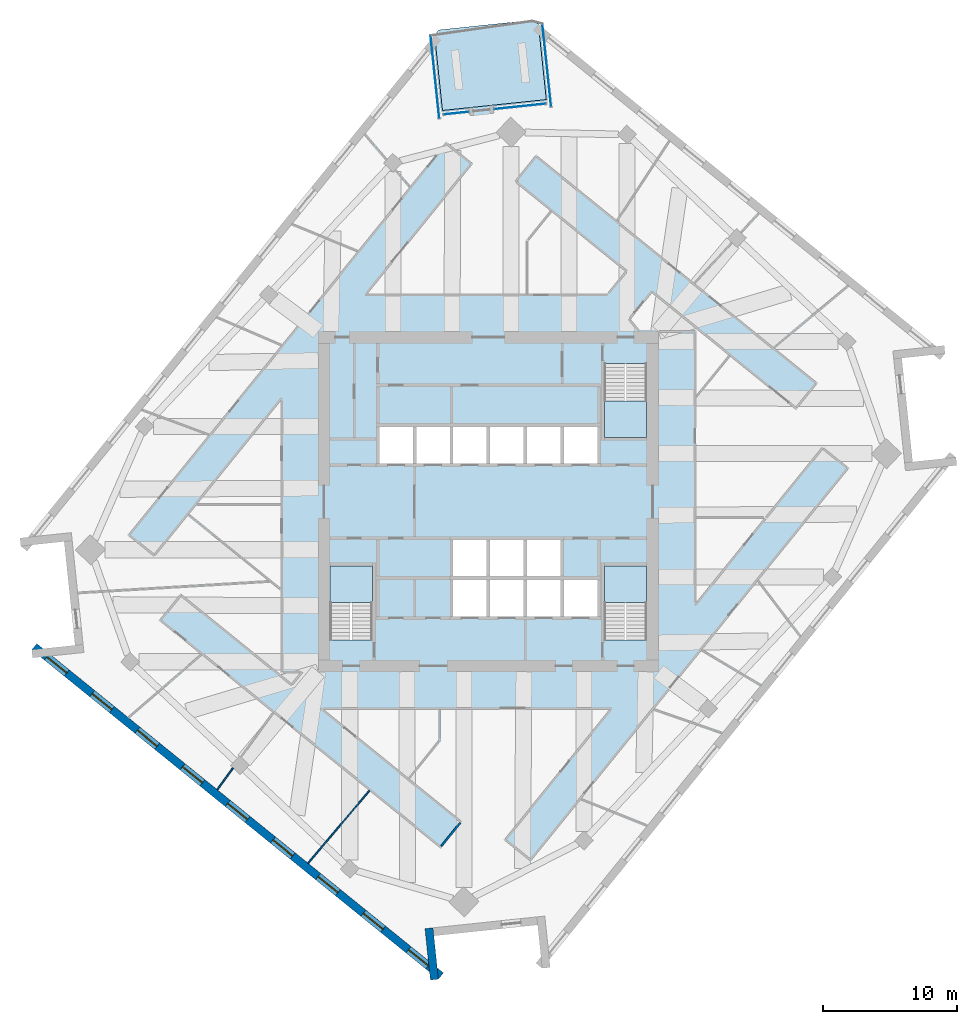
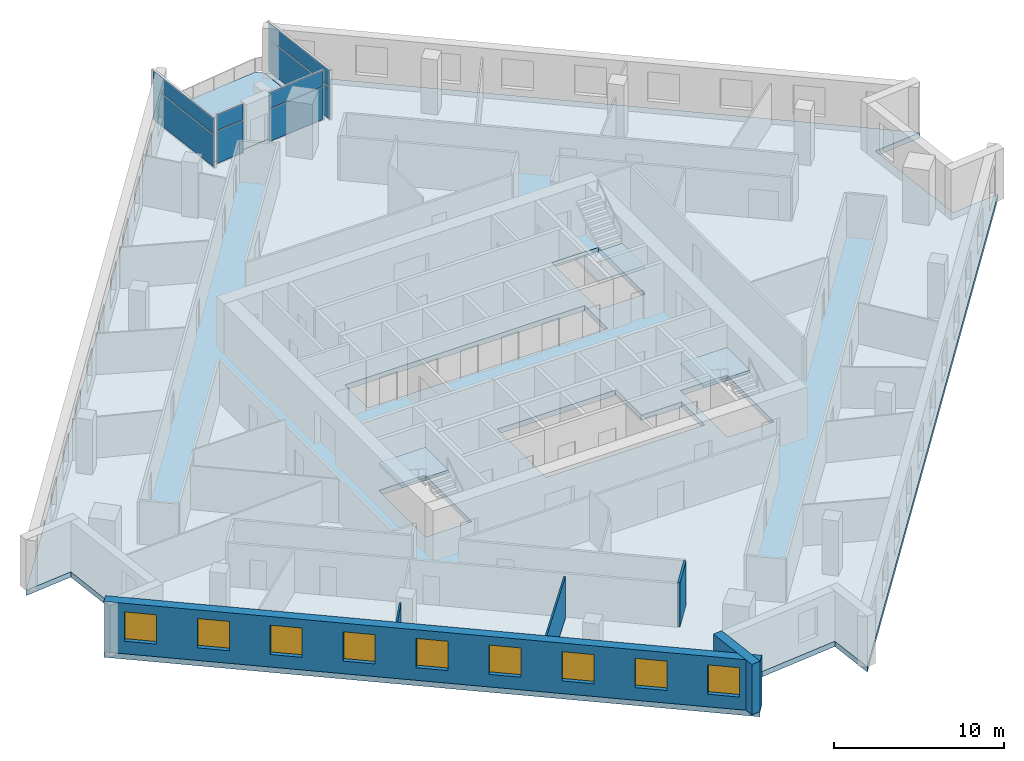
# One storey, part 6 of 14: 9 windows, 8 plates, 5 slabs, 5 walls, 9 openings, 7 elements without a shape of their own.
"""IFC4 building model written with IfcOpenShell, lengths in metres."""

from ifc_helpers import new_model, si_unit, direction, frame, frame_2d, origin, origin_2d, place, context, subcontext, project, spatial, polyline, rectangle, outline, extrude, material, layer, layer_set, type_object, element, fill, aggregate, save


model = new_model("IFC4")

# Units and contexts
model_context = context("Model", 3, precision=1e-05, world=origin(), true_north=direction((0.0, 1.0)))
body_context = subcontext(model_context, "Body", "Model", "MODEL_VIEW")
ifc_project = project(units=[si_unit("LENGTHUNIT", "METRE"), si_unit("AREAUNIT", "SQUARE_METRE"), si_unit("VOLUMEUNIT", "CUBIC_METRE"), si_unit("PLANEANGLEUNIT", "RADIAN"), si_unit("MASSUNIT", "GRAM", prefix="KILO")], contexts=[model_context])

# Site, building, storey
site_placement = place(None, origin())
site = spatial("IfcSite", under=ifc_project, at=site_placement, CompositionType="ELEMENT")
building_placement = place(site_placement, origin())
building = spatial("IfcBuilding", under=site, at=building_placement, Name="Dilmun Exchange Tower", CompositionType="ELEMENT")
storey_placement = place(building_placement, frame((0.0, 0.0, 229.300048828125)))
storey = spatial("IfcBuildingStorey", under=building, at=storey_placement, Name="L54", CompositionType="ELEMENT", Elevation=229.300048828125)

# Stair, slab
ifc_material_1 = material(Name="Concrete C40/50", Category="concrete")
stair_type = type_object("IfcStairType", Name="Exit stair 1500 half-turn", PredefinedType="HALF_TURN_STAIR", material=ifc_material_1)
stair_1_placement = place(storey_placement, origin())
stair_1 = element("IfcStair", 1, at=stair_1_placement, inside=storey, type_object=stair_type, Name="L54 Protected exit stair ST1", PredefinedType="HALF_TURN_STAIR")
ifc_layer_1 = layer(ifc_material_1, 0.199951171875)
ifc_layer_set_1 = layer_set([ifc_layer_1], Name="Concrete C40/50")
slab_type_1 = type_object("IfcSlabType", Name="Exit stair landing 200", PredefinedType="LANDING", material=ifc_layer_set_1)
slab_1_placement = place(storey_placement, frame((0.0, 0.0, 1.800048828125)))
slab_1 = element("IfcSlab", 2, at=slab_1_placement, type_object=slab_type_1, Name="ST1 landing 1", PredefinedType="LANDING", context=body_context, shape_type="SweptSolid", body=[
    extrude(outline(polyline([(8.64990234375, 7.5), (8.64990234375, 4.800048828125), (11.800048828125, 4.800048828125), (11.800048828125, 7.5), (8.64990234375, 7.5)])), origin(), (0.0, 0.0, 1.0), 0.199951171875),
])
aggregate(stair_1, [slab_1])

stair_2_placement = place(storey_placement, origin())
stair_2 = element("IfcStair", 3, at=stair_2_placement, inside=storey, type_object=stair_type, Name="L54 Protected exit stair ST2", PredefinedType="HALF_TURN_STAIR")
slab_2_placement = place(storey_placement, frame((0.0, 0.0, 1.800048828125)))
slab_2 = element("IfcSlab", 4, at=slab_2_placement, type_object=slab_type_1, Name="ST2 landing 1", PredefinedType="LANDING", context=body_context, shape_type="SweptSolid", body=[
    extrude(outline(polyline([(-8.64990234375, -7.5), (-8.64990234375, -4.800048828125), (-11.800048828125, -4.800048828125), (-11.800048828125, -7.5), (-8.64990234375, -7.5)])), origin(), (0.0, 0.0, 1.0), 0.199951171875),
])
aggregate(stair_2, [slab_2])

stair_3_placement = place(storey_placement, origin())
stair_3 = element("IfcStair", 5, at=stair_3_placement, inside=storey, type_object=stair_type, Name="L54 Protected exit stair ST3", PredefinedType="HALF_TURN_STAIR")
slab_3_placement = place(storey_placement, frame((0.0, 0.0, 1.800048828125)))
slab_3 = element("IfcSlab", 6, at=slab_3_placement, type_object=slab_type_1, Name="ST3 landing 1", PredefinedType="LANDING", context=body_context, shape_type="SweptSolid", body=[
    extrude(outline(polyline([(11.800048828125, -7.5), (11.800048828125, -4.800048828125), (8.64990234375, -4.800048828125), (8.64990234375, -7.5), (11.800048828125, -7.5)])), origin(), (0.0, 0.0, 1.0), 0.199951171875),
])
aggregate(stair_3, [slab_3])

# Curtain wall, plates
ifc_material_2 = material(Name="Anodised aluminium and clear glass", Category="aluminium")
curtain_wall_type = type_object("IfcCurtainWallType", Name="Garden corner glazing", PredefinedType="NOTDEFINED", material=ifc_material_2)
curtain_wall_1_placement = place(storey_placement, origin())
curtain_wall_1 = element("IfcCurtainWall", 7, at=curtain_wall_1_placement, inside=storey, type_object=curtain_wall_type, Name="Garden corner glazing run GC1.1", PredefinedType="NOTDEFINED")
ifc_material_3 = material(Name="Clear glass", Category="glass")
ifc_layer_2 = layer(ifc_material_3, 0.028076171875)
ifc_layer_set_2 = layer_set([ifc_layer_2], Name="Clear glass")
plate_type = type_object("IfcPlateType", Name="Garden corner glazing glass panel 28", PredefinedType="CURTAIN_PANEL", material=ifc_layer_set_2)
plate_1_placement = place(storey_placement, frame((4.35009765625, 32.511474609375, 0.059814453125), z_axis=(0.0, 0.0, 1.0), x_axis=(0.104539779931, -0.994520705874, 0.0)))
plate_1 = element("IfcPlate", 8, at=plate_1_placement, type_object=plate_type, Name="GC1.1 panel 1.1", PredefinedType="CURTAIN_PANEL", context=body_context, shape_type="SweptSolid", body=[
    extrude(rectangle(XDim=6.12646484375, YDim=0.028076171875, at=origin_2d()), origin(), (0.0, 0.0, 1.0), 2.31005859375),
])
plate_2_placement = place(storey_placement, frame((4.35009765625, 32.511474609375, 2.429931640625), z_axis=(0.0, 0.0, 1.0), x_axis=(0.104539779931, -0.994520705874, 0.0)))
plate_2 = element("IfcPlate", 9, at=plate_2_placement, type_object=plate_type, Name="GC1.1 panel 1.2", PredefinedType="CURTAIN_PANEL", context=body_context, shape_type="SweptSolid", body=[
    extrude(rectangle(XDim=6.12646484375, YDim=0.028076171875, at=origin_2d()), origin(), (0.0, 0.0, 1.0), 1.1298828125),
])
aggregate(curtain_wall_1, [plate_1, plate_2])

curtain_wall_2_placement = place(storey_placement, origin())
curtain_wall_2 = element("IfcCurtainWall", 10, at=curtain_wall_2_placement, inside=storey, type_object=curtain_wall_type, Name="Garden corner glazing run GC2.1", PredefinedType="NOTDEFINED")
plate_3_placement = place(storey_placement, frame((2.36328125, 29.4638671875, 0.059814453125), z_axis=(0.0, 0.0, 1.0), x_axis=(-0.994521101078, -0.104536020157, 0.0)))
plate_3 = element("IfcPlate", 11, at=plate_3_placement, type_object=plate_type, Name="GC2.1 panel 1.1", PredefinedType="CURTAIN_PANEL", context=body_context, shape_type="SweptSolid", body=[
    extrude(rectangle(XDim=3.869140625, YDim=0.028076171875, at=origin_2d()), origin(), (0.0, 0.0, 1.0), 2.31005859375),
])
plate_4_placement = place(storey_placement, frame((2.36328125, 29.4638671875, 2.429931640625), z_axis=(0.0, 0.0, 1.0), x_axis=(-0.994521101078, -0.104536020157, 0.0)))
plate_4 = element("IfcPlate", 12, at=plate_4_placement, type_object=plate_type, Name="GC2.1 panel 1.2", PredefinedType="CURTAIN_PANEL", context=body_context, shape_type="SweptSolid", body=[
    extrude(rectangle(XDim=3.869140625, YDim=0.028076171875, at=origin_2d()), origin(), (0.0, 0.0, 1.0), 1.1298828125),
])
aggregate(curtain_wall_2, [plate_3, plate_4])

curtain_wall_3_placement = place(storey_placement, origin())
curtain_wall_3 = element("IfcCurtainWall", 13, at=curtain_wall_3_placement, inside=storey, type_object=curtain_wall_type, Name="Garden corner glazing run GC2.3", PredefinedType="NOTDEFINED")
plate_5_placement = place(storey_placement, frame((-2.399658203125, 28.963134765625, 0.059814453125), z_axis=(0.0, 0.0, 1.0), x_axis=(-0.99452279416, -0.104519911481, 0.0)))
plate_5 = element("IfcPlate", 14, at=plate_5_placement, type_object=plate_type, Name="GC2.3 panel 1.1", PredefinedType="CURTAIN_PANEL", context=body_context, shape_type="SweptSolid", body=[
    extrude(rectangle(XDim=1.869140625, YDim=0.028076171875, at=origin_2d()), origin(), (0.0, 0.0, 1.0), 2.31005859375),
])
plate_6_placement = place(storey_placement, frame((-2.399658203125, 28.963134765625, 2.429931640625), z_axis=(0.0, 0.0, 1.0), x_axis=(-0.99452279416, -0.104519911481, 0.0)))
plate_6 = element("IfcPlate", 15, at=plate_6_placement, type_object=plate_type, Name="GC2.3 panel 1.2", PredefinedType="CURTAIN_PANEL", context=body_context, shape_type="SweptSolid", body=[
    extrude(rectangle(XDim=1.869140625, YDim=0.028076171875, at=origin_2d()), origin(), (0.0, 0.0, 1.0), 1.1298828125),
])
aggregate(curtain_wall_3, [plate_5, plate_6])

curtain_wall_4_placement = place(storey_placement, origin())
curtain_wall_4 = element("IfcCurtainWall", 16, at=curtain_wall_4_placement, inside=storey, type_object=curtain_wall_type, Name="Garden corner glazing run GC3.1", PredefinedType="NOTDEFINED")
plate_7_placement = place(storey_placement, frame((-3.982177734375, 31.635498046875, 0.059814453125), z_axis=(0.0, 0.0, 1.0), x_axis=(-0.104539779931, 0.994520705874, 0.0)))
plate_7 = element("IfcPlate", 17, at=plate_7_placement, type_object=plate_type, Name="GC3.1 panel 1.1", PredefinedType="CURTAIN_PANEL", context=body_context, shape_type="SweptSolid", body=[
    extrude(rectangle(XDim=6.12646484375, YDim=0.028076171875, at=origin_2d()), origin(), (0.0, 0.0, 1.0), 2.31005859375),
])
plate_8_placement = place(storey_placement, frame((-3.982177734375, 31.635498046875, 2.429931640625), z_axis=(0.0, 0.0, 1.0), x_axis=(-0.104539779931, 0.994520705874, 0.0)))
plate_8 = element("IfcPlate", 18, at=plate_8_placement, type_object=plate_type, Name="GC3.1 panel 1.2", PredefinedType="CURTAIN_PANEL", context=body_context, shape_type="SweptSolid", body=[
    extrude(rectangle(XDim=6.12646484375, YDim=0.028076171875, at=origin_2d()), origin(), (0.0, 0.0, 1.0), 1.1298828125),
])
aggregate(curtain_wall_4, [plate_7, plate_8])

# Slabs
ifc_layer_3 = layer(ifc_material_1, 0.3798828125)
ifc_layer_set_3 = layer_set([ifc_layer_3], Name="Concrete C40/50")
slab_type_2 = type_object("IfcSlabType", Name="RC floor slab 380", PredefinedType="FLOOR", material=ifc_layer_set_3)
slab_4_placement = place(storey_placement, frame((0.0, 0.0, -0.380126953125)))
element("IfcSlab", 19, at=slab_4_placement, inside=storey, type_object=slab_type_2, Name="Floor slab", PredefinedType="FLOOR", context=body_context, shape_type="SweptSolid", body=[
    extrude(outline(polyline([(30.805419921875, 10.703369140625), (31.618408203125, 2.9677734375), (34.846923828125, 3.30712890625), (4.01025390625, -34.773193359375), (3.6708984375, -31.54443359375), (-4.064697265625, -32.357421875), (-3.725341796875, -35.586181640625), (-34.033935546875, -11.04248046875), (-30.805419921875, -10.703369140625), (-31.618408203125, -2.9677734375), (-34.846923828125, -3.30712890625), (-4.01025390625, 34.773193359375), (-3.420166015625, 29.15771484375), (4.3154296875, 29.970703125), (3.725341796875, 35.586181640625), (34.033935546875, 11.04248046875), (30.805419921875, 10.703369140625)]), holes=[polyline([(-8.64990234375, -4.800048828125), (-11.800048828125, -4.800048828125), (-11.800048828125, -10.294921875), (-8.64990234375, -10.294921875), (-8.64990234375, -4.800048828125)]), polyline([(11.800048828125, -4.800048828125), (8.64990234375, -4.800048828125), (8.64990234375, -10.294921875), (11.800048828125, -10.294921875), (11.800048828125, -4.800048828125)]), polyline([(5.375, -2.85009765625), (-2.625, -2.85009765625), (-2.625, -8.550048828125), (8.125, -8.550048828125), (8.125, -5.85009765625), (5.375, -5.85009765625), (5.375, -2.85009765625)]), polyline([(8.125, 2.85009765625), (8.125, 5.550048828125), (-8.125, 5.550048828125), (-8.125, 2.85009765625), (8.125, 2.85009765625)]), polyline([(8.64990234375, 10.294921875), (8.64990234375, 4.800048828125), (11.800048828125, 4.800048828125), (11.800048828125, 10.294921875), (8.64990234375, 10.294921875)])]), origin(), (0.0, 0.0, 1.0), 0.380126953125),
])
ifc_layer_4 = layer(ifc_material_1, 0.300048828125)
ifc_layer_set_4 = layer_set([ifc_layer_4], Name="Concrete C40/50")
slab_type_3 = type_object("IfcSlabType", Name="RC garden terrace slab 300", PredefinedType="FLOOR", material=ifc_layer_set_4)
slab_5_placement = place(storey_placement, frame((0.0, 0.0, -0.300048828125)))
element("IfcSlab", 20, at=slab_5_placement, inside=storey, type_object=slab_type_3, Name="Garden terrace slab", PredefinedType="FLOOR", context=body_context, shape_type="SweptSolid", body=[
    extrude(outline(polyline([(-3.420166015625, 29.15771484375), (-4.01025390625, 34.773193359375), (-3.695556640625, 35.16162109375), (3.336669921875, 35.90087890625), (3.725341796875, 35.586181640625), (4.3154296875, 29.970703125), (-3.420166015625, 29.15771484375)])), origin(), (0.0, 0.0, 1.0), 0.300048828125),
])

# Walls
ifc_material_4 = material(Name="Corridor wall 150")
ifc_layer_5 = layer(ifc_material_4, 0.14990234375)
ifc_layer_set_5 = layer_set([ifc_layer_5], Name="Corridor wall 150")
wall_type_1 = type_object("IfcWallType", Name="Corridor wall 150", PredefinedType="PARTITIONING", material=ifc_layer_set_5)
wall_1_placement = place(storey_placement, frame((-3.5107421875, -25.6767578125, 0.0), z_axis=(0.0, 0.0, 1.0), x_axis=(0.629260625875, 0.777194354536, 0.0)))
element("IfcWall", 21, at=wall_1_placement, inside=storey, type_object=wall_type_1, Name="Corridor wall", PredefinedType="PARTITIONING", context=body_context, shape_type="SweptSolid", body=[
    extrude(rectangle(XDim=2.2509765625, YDim=0.14990234375, at=frame_2d((1.12548828125, 0.0))), origin(), (0.0, 0.0, 1.0), 3.169921875),
])
ifc_material_5 = material(Name="Partition 100")
ifc_layer_6 = layer(ifc_material_5, 0.10009765625)
ifc_layer_set_6 = layer_set([ifc_layer_6], Name="Partition 100")
wall_type_2 = type_object("IfcWallType", Name="Partition 100", PredefinedType="PARTITIONING", material=ifc_layer_set_6)
wall_2_placement = place(storey_placement, frame((-20.20849609375, -21.463623046875, 0.0), z_axis=(0.0, 0.0, 1.0), x_axis=(0.588273501318, 0.808662035492, 0.0)))
element("IfcWall", 22, at=wall_2_placement, inside=storey, type_object=wall_type_2, Name="Partition", PredefinedType="PARTITIONING", context=body_context, shape_type="SweptSolid", body=[
    extrude(rectangle(XDim=1.99609375, YDim=0.10009765625, at=frame_2d((0.998046875, 0.0))), origin(), (0.0, 0.0, 1.0), 3.619873046875),
])
wall_3_placement = place(storey_placement, frame((-13.439208984375, -26.9453125, 0.0), z_axis=(0.0, 0.0, 1.0), x_axis=(0.645645597662, 0.763637192795, 0.0)))
element("IfcWall", 23, at=wall_3_placement, inside=storey, type_object=wall_type_2, Name="Partition", PredefinedType="PARTITIONING", context=body_context, shape_type="SweptSolid", body=[
    extrude(rectangle(XDim=7.084716796875, YDim=0.10009765625, at=frame_2d((3.54248046875, 0.0))), origin(), (0.0, 0.0, 1.0), 2.969970703125),
])

# Wall, openings, windows
ifc_material_6 = material(Name="Precast concrete C50/60", Category="concrete")
ifc_layer_7 = layer(ifc_material_6, 0.60009765625)
ifc_layer_set_7 = layer_set([ifc_layer_7], Name="Precast concrete C50/60")
wall_type_3 = type_object("IfcWallType", Name="Precast stone-clad wall 600", PredefinedType="STANDARD", material=ifc_layer_set_7)
wall_4_placement = place(storey_placement, frame((-33.84521484375, -10.8095703125, 0.0), z_axis=(0.0, 0.0, 1.0), x_axis=(0.777145437972, -0.629321037499, 0.0)))
wall_4 = element("IfcWall", 24, at=wall_4_placement, inside=storey, type_object=wall_type_3, Name="Facade wall L54-07", PredefinedType="STANDARD", context=body_context, shape_type="SweptSolid", body=[
    extrude(rectangle(XDim=39.0, YDim=0.60009765625, at=frame_2d((19.5, 0.0))), origin(), (0.0, 0.0, 1.0), 3.619873046875),
])
opening_1_placement = place(wall_4_placement, frame((1.216796875, 0.0, 0.89990234375)))
opening_1 = element("IfcOpeningElement", 25, at=opening_1_placement, cuts=wall_4, Name="Opening W190-210", PredefinedType="OPENING", context=body_context, shape_type="SweptSolid", body=[
    extrude(rectangle(XDim=1.89990234375, YDim=2.10009765625, at=frame_2d((0.949951171875, 1.050048828125))), frame((0.0, 0.31005859375, 0.0), z_axis=(0.0, -1.0, 0.0), x_axis=(1.0, 0.0, 0.0)), (0.0, 0.0, 1.0), 0.6201171875),
])
opening_2_placement = place(wall_4_placement, frame((5.550048828125, 0.0, 0.89990234375)))
opening_2 = element("IfcOpeningElement", 26, at=opening_2_placement, cuts=wall_4, Name="Opening W190-210", PredefinedType="OPENING", context=body_context, shape_type="SweptSolid", body=[
    extrude(rectangle(XDim=1.89990234375, YDim=2.10009765625, at=frame_2d((0.949951171875, 1.050048828125))), frame((0.0, 0.31005859375, 0.0), z_axis=(0.0, -1.0, 0.0), x_axis=(1.0, 0.0, 0.0)), (0.0, 0.0, 1.0), 0.6201171875),
])
opening_3_placement = place(wall_4_placement, frame((9.88330078125, 0.0, 0.89990234375)))
opening_3 = element("IfcOpeningElement", 27, at=opening_3_placement, cuts=wall_4, Name="Opening W190-210", PredefinedType="OPENING", context=body_context, shape_type="SweptSolid", body=[
    extrude(rectangle(XDim=1.89990234375, YDim=2.10009765625, at=frame_2d((0.949951171875, 1.050048828125))), frame((0.0, 0.31005859375, 0.0), z_axis=(0.0, -1.0, 0.0), x_axis=(1.0, 0.0, 0.0)), (0.0, 0.0, 1.0), 0.6201171875),
])
opening_4_placement = place(wall_4_placement, frame((14.216796875, 0.0, 0.89990234375)))
opening_4 = element("IfcOpeningElement", 28, at=opening_4_placement, cuts=wall_4, Name="Opening W190-210", PredefinedType="OPENING", context=body_context, shape_type="SweptSolid", body=[
    extrude(rectangle(XDim=1.89990234375, YDim=2.10009765625, at=frame_2d((0.949951171875, 1.050048828125))), frame((0.0, 0.31005859375, 0.0), z_axis=(0.0, -1.0, 0.0), x_axis=(1.0, 0.0, 0.0)), (0.0, 0.0, 1.0), 0.6201171875),
])
opening_5_placement = place(wall_4_placement, frame((18.550048828125, 0.0, 0.89990234375)))
opening_5 = element("IfcOpeningElement", 29, at=opening_5_placement, cuts=wall_4, Name="Opening W190-210", PredefinedType="OPENING", context=body_context, shape_type="SweptSolid", body=[
    extrude(rectangle(XDim=1.89990234375, YDim=2.10009765625, at=frame_2d((0.949951171875, 1.050048828125))), frame((0.0, 0.31005859375, 0.0), z_axis=(0.0, -1.0, 0.0), x_axis=(1.0, 0.0, 0.0)), (0.0, 0.0, 1.0), 0.6201171875),
])
opening_6_placement = place(wall_4_placement, frame((22.88330078125, 0.0, 0.89990234375)))
opening_6 = element("IfcOpeningElement", 30, at=opening_6_placement, cuts=wall_4, Name="Opening W190-210", PredefinedType="OPENING", context=body_context, shape_type="SweptSolid", body=[
    extrude(rectangle(XDim=1.89990234375, YDim=2.10009765625, at=frame_2d((0.949951171875, 1.050048828125))), frame((0.0, 0.31005859375, 0.0), z_axis=(0.0, -1.0, 0.0), x_axis=(1.0, 0.0, 0.0)), (0.0, 0.0, 1.0), 0.6201171875),
])
opening_7_placement = place(wall_4_placement, frame((27.216796875, 0.0, 0.89990234375)))
opening_7 = element("IfcOpeningElement", 31, at=opening_7_placement, cuts=wall_4, Name="Opening W190-210", PredefinedType="OPENING", context=body_context, shape_type="SweptSolid", body=[
    extrude(rectangle(XDim=1.89990234375, YDim=2.10009765625, at=frame_2d((0.949951171875, 1.050048828125))), frame((0.0, 0.31005859375, 0.0), z_axis=(0.0, -1.0, 0.0), x_axis=(1.0, 0.0, 0.0)), (0.0, 0.0, 1.0), 0.6201171875),
])
opening_8_placement = place(wall_4_placement, frame((31.550048828125, 0.0, 0.89990234375)))
opening_8 = element("IfcOpeningElement", 32, at=opening_8_placement, cuts=wall_4, Name="Opening W190-210", PredefinedType="OPENING", context=body_context, shape_type="SweptSolid", body=[
    extrude(rectangle(XDim=1.89990234375, YDim=2.10009765625, at=frame_2d((0.949951171875, 1.050048828125))), frame((0.0, 0.31005859375, 0.0), z_axis=(0.0, -1.0, 0.0), x_axis=(1.0, 0.0, 0.0)), (0.0, 0.0, 1.0), 0.6201171875),
])
opening_9_placement = place(wall_4_placement, frame((35.88330078125, 0.0, 0.89990234375)))
opening_9 = element("IfcOpeningElement", 33, at=opening_9_placement, cuts=wall_4, Name="Opening W190-210", PredefinedType="OPENING", context=body_context, shape_type="SweptSolid", body=[
    extrude(rectangle(XDim=1.89990234375, YDim=2.10009765625, at=frame_2d((0.949951171875, 1.050048828125))), frame((0.0, 0.31005859375, 0.0), z_axis=(0.0, -1.0, 0.0), x_axis=(1.0, 0.0, 0.0)), (0.0, 0.0, 1.0), 0.6201171875),
])
ifc_material_7 = material(Name="Clear low-emissivity glass in aluminium frame", Category="aluminium")
window_type = type_object("IfcWindowType", Name="Punched window 1900 x 2100", PartitioningType="DOUBLE_PANEL_VERTICAL", PredefinedType="WINDOW", material=ifc_material_7)
window_1_placement = place(opening_1_placement, origin())
window_1 = element("IfcWindow", 34, at=window_1_placement, inside=storey, type_object=window_type, Name="Window 8.1", OverallHeight=2.10009765625, OverallWidth=1.89990234375, PartitioningType="SINGLE_PANEL", PredefinedType="WINDOW", context=body_context, shape_type="SweptSolid", body=[
    extrude(rectangle(XDim=1.89990234375, YDim=2.10009765625, at=frame_2d((0.949951171875, 1.050048828125))), frame((0.0, 0.030029296875, 0.0), z_axis=(0.0, -1.0, 0.0), x_axis=(1.0, 0.0, 0.0)), (0.0, 0.0, 1.0), 0.06005859375),
])
fill(opening_1, window_1)
window_2_placement = place(opening_2_placement, origin())
window_2 = element("IfcWindow", 35, at=window_2_placement, inside=storey, type_object=window_type, Name="Window 8.2", OverallHeight=2.10009765625, OverallWidth=1.89990234375, PartitioningType="SINGLE_PANEL", PredefinedType="WINDOW", context=body_context, shape_type="SweptSolid", body=[
    extrude(rectangle(XDim=1.89990234375, YDim=2.10009765625, at=frame_2d((0.949951171875, 1.050048828125))), frame((0.0, 0.030029296875, 0.0), z_axis=(0.0, -1.0, 0.0), x_axis=(1.0, 0.0, 0.0)), (0.0, 0.0, 1.0), 0.06005859375),
])
fill(opening_2, window_2)
window_3_placement = place(opening_3_placement, origin())
window_3 = element("IfcWindow", 36, at=window_3_placement, inside=storey, type_object=window_type, Name="Window 8.3", OverallHeight=2.10009765625, OverallWidth=1.89990234375, PartitioningType="SINGLE_PANEL", PredefinedType="WINDOW", context=body_context, shape_type="SweptSolid", body=[
    extrude(rectangle(XDim=1.89990234375, YDim=2.10009765625, at=frame_2d((0.949951171875, 1.050048828125))), frame((0.0, 0.030029296875, 0.0), z_axis=(0.0, -1.0, 0.0), x_axis=(1.0, 0.0, 0.0)), (0.0, 0.0, 1.0), 0.06005859375),
])
fill(opening_3, window_3)
window_4_placement = place(opening_4_placement, origin())
window_4 = element("IfcWindow", 37, at=window_4_placement, inside=storey, type_object=window_type, Name="Window 8.4", OverallHeight=2.10009765625, OverallWidth=1.89990234375, PartitioningType="SINGLE_PANEL", PredefinedType="WINDOW", context=body_context, shape_type="SweptSolid", body=[
    extrude(rectangle(XDim=1.89990234375, YDim=2.10009765625, at=frame_2d((0.949951171875, 1.050048828125))), frame((0.0, 0.030029296875, 0.0), z_axis=(0.0, -1.0, 0.0), x_axis=(1.0, 0.0, 0.0)), (0.0, 0.0, 1.0), 0.06005859375),
])
fill(opening_4, window_4)
window_5_placement = place(opening_5_placement, origin())
window_5 = element("IfcWindow", 38, at=window_5_placement, inside=storey, type_object=window_type, Name="Window 8.5", OverallHeight=2.10009765625, OverallWidth=1.89990234375, PartitioningType="SINGLE_PANEL", PredefinedType="WINDOW", context=body_context, shape_type="SweptSolid", body=[
    extrude(rectangle(XDim=1.89990234375, YDim=2.10009765625, at=frame_2d((0.949951171875, 1.050048828125))), frame((0.0, 0.030029296875, 0.0), z_axis=(0.0, -1.0, 0.0), x_axis=(1.0, 0.0, 0.0)), (0.0, 0.0, 1.0), 0.06005859375),
])
fill(opening_5, window_5)
window_6_placement = place(opening_6_placement, origin())
window_6 = element("IfcWindow", 39, at=window_6_placement, inside=storey, type_object=window_type, Name="Window 8.6", OverallHeight=2.10009765625, OverallWidth=1.89990234375, PartitioningType="SINGLE_PANEL", PredefinedType="WINDOW", context=body_context, shape_type="SweptSolid", body=[
    extrude(rectangle(XDim=1.89990234375, YDim=2.10009765625, at=frame_2d((0.949951171875, 1.050048828125))), frame((0.0, 0.030029296875, 0.0), z_axis=(0.0, -1.0, 0.0), x_axis=(1.0, 0.0, 0.0)), (0.0, 0.0, 1.0), 0.06005859375),
])
fill(opening_6, window_6)
window_7_placement = place(opening_7_placement, origin())
window_7 = element("IfcWindow", 40, at=window_7_placement, inside=storey, type_object=window_type, Name="Window 8.7", OverallHeight=2.10009765625, OverallWidth=1.89990234375, PartitioningType="SINGLE_PANEL", PredefinedType="WINDOW", context=body_context, shape_type="SweptSolid", body=[
    extrude(rectangle(XDim=1.89990234375, YDim=2.10009765625, at=frame_2d((0.949951171875, 1.050048828125))), frame((0.0, 0.030029296875, 0.0), z_axis=(0.0, -1.0, 0.0), x_axis=(1.0, 0.0, 0.0)), (0.0, 0.0, 1.0), 0.06005859375),
])
fill(opening_7, window_7)
window_8_placement = place(opening_8_placement, origin())
window_8 = element("IfcWindow", 41, at=window_8_placement, inside=storey, type_object=window_type, Name="Window 8.8", OverallHeight=2.10009765625, OverallWidth=1.89990234375, PartitioningType="SINGLE_PANEL", PredefinedType="WINDOW", context=body_context, shape_type="SweptSolid", body=[
    extrude(rectangle(XDim=1.89990234375, YDim=2.10009765625, at=frame_2d((0.949951171875, 1.050048828125))), frame((0.0, 0.030029296875, 0.0), z_axis=(0.0, -1.0, 0.0), x_axis=(1.0, 0.0, 0.0)), (0.0, 0.0, 1.0), 0.06005859375),
])
fill(opening_8, window_8)
window_9_placement = place(opening_9_placement, origin())
window_9 = element("IfcWindow", 42, at=window_9_placement, inside=storey, type_object=window_type, Name="Window 8.9", OverallHeight=2.10009765625, OverallWidth=1.89990234375, PartitioningType="SINGLE_PANEL", PredefinedType="WINDOW", context=body_context, shape_type="SweptSolid", body=[
    extrude(rectangle(XDim=1.89990234375, YDim=2.10009765625, at=frame_2d((0.949951171875, 1.050048828125))), frame((0.0, 0.030029296875, 0.0), z_axis=(0.0, -1.0, 0.0), x_axis=(1.0, 0.0, 0.0)), (0.0, 0.0, 1.0), 0.06005859375),
])
fill(opening_9, window_9)

# Wall
wall_5_placement = place(storey_placement, frame((-4.023681640625, -35.617431640625, 0.0), z_axis=(0.0, 0.0, 1.0), x_axis=(-0.104536105602, 0.994521092097, 0.0)))
element("IfcWall", 43, at=wall_5_placement, inside=storey, type_object=wall_type_3, Name="Facade wall L54-08", PredefinedType="STANDARD", context=body_context, shape_type="SweptSolid", body=[
    extrude(rectangle(XDim=3.846435546875, YDim=0.60009765625, at=frame_2d((1.92333984375, 0.0))), origin(), (0.0, 0.0, 1.0), 3.619873046875),
])

save(model, "model.ifc")
